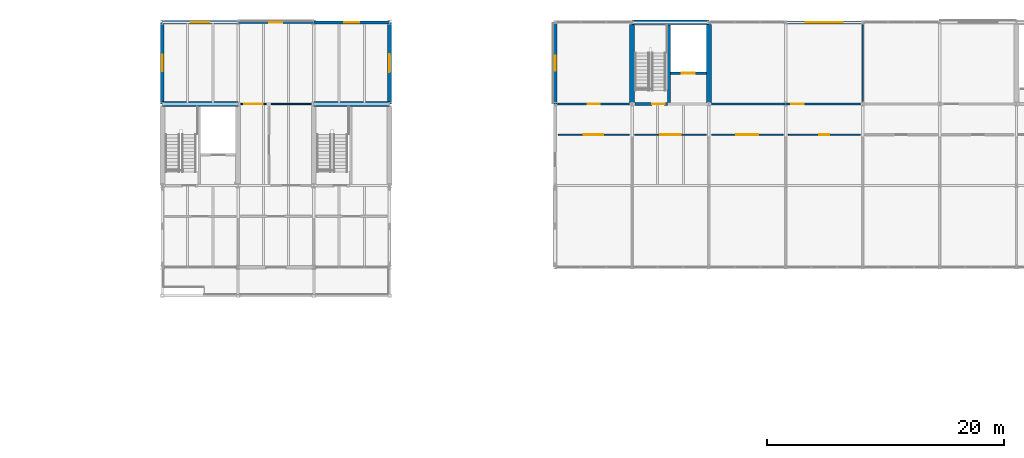
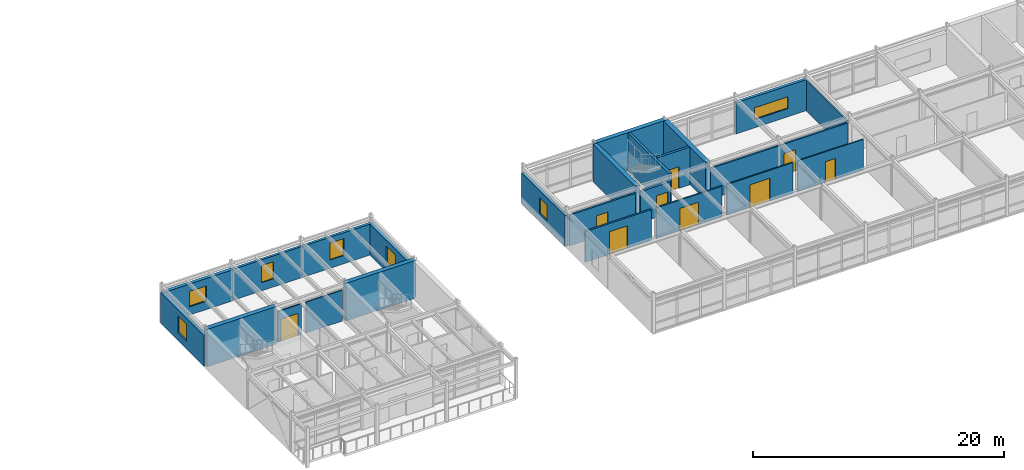
# One storey, part 49 of 57: 24 walls, 9 doors, 7 windows, 16 openings.
"""IFC4 building model written with IfcOpenShell, lengths in metres."""

from ifc_helpers import new_model, si_unit, direction, frame, frame_2d, origin, place, context, subcontext, project, spatial, rectangle, extrude, material, layer, layer_set, type_object, element, fill, save


model = new_model("IFC4")

# Units and contexts
model_context = context("Model", 3, precision=1e-05, world=origin(), true_north=direction((0.0, 1.0)))
body_context = subcontext(model_context, "Body", "Model", "MODEL_VIEW")
ifc_project = project(units=[si_unit("LENGTHUNIT", "METRE"), si_unit("AREAUNIT", "SQUARE_METRE"), si_unit("VOLUMEUNIT", "CUBIC_METRE"), si_unit("PLANEANGLEUNIT", "RADIAN"), si_unit("MASSUNIT", "GRAM", prefix="KILO")], contexts=[model_context])

# Site, building, storey
site_placement = place(None, origin())
site = spatial("IfcSite", under=ifc_project, at=site_placement, CompositionType="ELEMENT")
building_placement = place(site_placement, origin())
building = spatial("IfcBuilding", under=site, at=building_placement, Name="Trelmorton Wharf Fire Station", CompositionType="ELEMENT")
storey_placement = place(building_placement, frame((0.0, 0.0, 13.5)))
storey = spatial("IfcBuildingStorey", under=building, at=storey_placement, Name="L03", CompositionType="ELEMENT", Elevation=13.5)

# Wall, opening, window
ifc_material_1 = material(Name="Precast concrete 45 MPa", Category="concrete")
ifc_layer_1 = layer(ifc_material_1, 0.22998046875)
ifc_layer_set_1 = layer_set([ifc_layer_1], Name="Precast concrete 45 MPa")
wall_type_1 = type_object("IfcWallType", Name="EW_PREC_230", PredefinedType="SOLIDWALL", material=ifc_layer_set_1)
wall_1_placement = place(storey_placement, frame((77.205078125, 81.0, 0.0), z_axis=(0.0, 0.0, 1.0), x_axis=(1.0, 0.0, 0.0)))
wall_1 = element("IfcWall", 1, at=wall_1_placement, inside=storey, type_object=wall_type_1, Name="EW-V2-L03-0180", PredefinedType="SOLIDWALL", context=body_context, shape_type="SweptSolid", body=[
    extrude(rectangle(XDim=6.389892578125, YDim=0.22998046875, at=frame_2d((3.19482421875, 0.0))), origin(), (0.0, 0.0, 1.0), 3.02001953125),
])
opening_1_placement = place(wall_1_placement, frame((2.64501953125, 0.0, 0.800048828125)))
opening_1 = element("IfcOpeningElement", 2, at=opening_1_placement, cuts=wall_1, Name="Opening W37", PredefinedType="OPENING", context=body_context, shape_type="SweptSolid", body=[
    extrude(rectangle(XDim=1.10009765625, YDim=1.64990234375, at=frame_2d((0.550048828125, 0.824951171875))), frame((0.0, 0.125, 0.0), z_axis=(0.0, -1.0, 0.0), x_axis=(1.0, 0.0, 0.0)), (0.0, 0.0, 1.0), 0.25),
])
ifc_material_2 = material(Name="Tempered low-E double glazing", Category="glass")
window_type_1 = type_object("IfcWindowType", Name="WIN_W37", PartitioningType="SINGLE_PANEL", PredefinedType="WINDOW", material=ifc_material_2)
window_1_placement = place(opening_1_placement, origin())
window_1 = element("IfcWindow", 3, at=window_1_placement, inside=storey, type_object=window_type_1, Name="WN-V2-L03-0099", OverallHeight=1.64990234375, OverallWidth=1.10009765625, PartitioningType="SINGLE_PANEL", PredefinedType="WINDOW", context=body_context, shape_type="SweptSolid", body=[
    extrude(rectangle(XDim=1.10009765625, YDim=1.64990234375, at=frame_2d((0.550048828125, 0.824951171875))), frame((0.0, 0.030029296875, 0.0), z_axis=(0.0, -1.0, 0.0), x_axis=(1.0, 0.0, 0.0)), (0.0, 0.0, 1.0), 0.06005859375),
])
fill(opening_1, window_1)

ifc_layer_2 = layer(ifc_material_1, 0.25)
ifc_layer_set_2 = layer_set([ifc_layer_2], Name="Precast concrete 45 MPa")
wall_type_2 = type_object("IfcWallType", Name="EW_PREC_250", PredefinedType="SOLIDWALL", material=ifc_layer_set_2)
wall_2_placement = place(storey_placement, frame((83.60498046875, 81.0, 0.0), z_axis=(0.0, 0.0, 1.0), x_axis=(1.0, 0.0, 0.0)))
wall_2 = element("IfcWall", 4, at=wall_2_placement, inside=storey, type_object=wall_type_2, Name="EW-V2-L03-0181", PredefinedType="SOLIDWALL", context=body_context, shape_type="SweptSolid", body=[
    extrude(rectangle(XDim=6.39013671875, YDim=0.25, at=frame_2d((3.195068359375, 0.0))), origin(), (0.0, 0.0, 1.0), 3.02001953125),
])
opening_2_placement = place(wall_2_placement, frame((2.570068359375, 0.0, 0.800048828125)))
opening_2 = element("IfcOpeningElement", 5, at=opening_2_placement, cuts=wall_2, Name="Opening W38", PredefinedType="OPENING", context=body_context, shape_type="SweptSolid", body=[
    extrude(rectangle(XDim=1.25, YDim=1.64990234375, at=frame_2d((0.625, 0.824951171875))), frame((0.0, 0.135009765625, 0.0), z_axis=(0.0, -1.0, 0.0), x_axis=(1.0, 0.0, 0.0)), (0.0, 0.0, 1.0), 0.27001953125),
])
window_type_2 = type_object("IfcWindowType", Name="WIN_W38", PartitioningType="SINGLE_PANEL", PredefinedType="WINDOW", material=ifc_material_2)
window_2_placement = place(opening_2_placement, origin())
window_2 = element("IfcWindow", 6, at=window_2_placement, inside=storey, type_object=window_type_2, Name="WN-V2-L03-0100", OverallHeight=1.64990234375, OverallWidth=1.25, PartitioningType="SINGLE_PANEL", PredefinedType="WINDOW", context=body_context, shape_type="SweptSolid", body=[
    extrude(rectangle(XDim=1.25, YDim=1.64990234375, at=frame_2d((0.625, 0.824951171875))), frame((0.0, 0.030029296875, 0.0), z_axis=(0.0, -1.0, 0.0), x_axis=(1.0, 0.0, 0.0)), (0.0, 0.0, 1.0), 0.06005859375),
])
fill(opening_2, window_2)

ifc_layer_3 = layer(ifc_material_1, 0.27001953125)
ifc_layer_set_3 = layer_set([ifc_layer_3], Name="Precast concrete 45 MPa")
wall_type_3 = type_object("IfcWallType", Name="EW_PREC_270", PredefinedType="SOLIDWALL", material=ifc_layer_set_3)
wall_3_placement = place(storey_placement, frame((123.5048828125, 81.0, 0.0), z_axis=(0.0, 0.0, 1.0), x_axis=(1.0, 0.0, 0.0)))
wall_3 = element("IfcWall", 7, at=wall_3_placement, inside=storey, type_object=wall_type_3, Name="EW-V4-L03-0236", PredefinedType="SOLIDWALL", context=body_context, shape_type="SweptSolid", body=[
    extrude(rectangle(XDim=6.490234375, YDim=0.27001953125, at=frame_2d((3.2451171875, 0.0))), origin(), (0.0, 0.0, 1.0), 3.02001953125),
])
opening_3_placement = place(wall_3_placement, frame((1.695068359375, 0.0, 0.800048828125)))
opening_3 = element("IfcOpeningElement", 8, at=opening_3_placement, cuts=wall_3, Name="Opening W29", PredefinedType="OPENING", context=body_context, shape_type="SweptSolid", body=[
    extrude(rectangle(XDim=3.10009765625, YDim=1.14990234375, at=frame_2d((1.550048828125, 0.574951171875))), frame((0.0, 0.14501953125, 0.0), z_axis=(0.0, -1.0, 0.0), x_axis=(1.0, 0.0, 0.0)), (0.0, 0.0, 1.0), 0.2900390625),
])
window_type_3 = type_object("IfcWindowType", Name="WIN_W29", PartitioningType="TRIPLE_PANEL_VERTICAL", PredefinedType="WINDOW", material=ifc_material_2)
window_3_placement = place(opening_3_placement, origin())
window_3 = element("IfcWindow", 9, at=window_3_placement, inside=storey, type_object=window_type_3, Name="WN-V4-L03-0136", OverallHeight=1.14990234375, OverallWidth=3.10009765625, PartitioningType="TRIPLE_PANEL_VERTICAL", PredefinedType="WINDOW", context=body_context, shape_type="SweptSolid", body=[
    extrude(rectangle(XDim=3.10009765625, YDim=1.14990234375, at=frame_2d((1.550048828125, 0.574951171875))), frame((0.0, 0.030029296875, 0.0), z_axis=(0.0, -1.0, 0.0), x_axis=(1.0, 0.0, 0.0)), (0.0, 0.0, 1.0), 0.06005859375),
])
fill(opening_3, window_3)

ifc_layer_4 = layer(ifc_material_1, 0.2900390625)
ifc_layer_set_4 = layer_set([ifc_layer_4], Name="Precast concrete 45 MPa")
wall_type_4 = type_object("IfcWallType", Name="EW_TERR_290", PredefinedType="SOLIDWALL", material=ifc_layer_set_4)
wall_4_placement = place(storey_placement, frame((104.0, 74.10498046875, 0.0), z_axis=(0.0, 0.0, 1.0), x_axis=(0.0, 1.0, 0.0)))
wall_4 = element("IfcWall", 10, at=wall_4_placement, inside=storey, type_object=wall_type_4, Name="EW-V4-L03-0243", PredefinedType="SOLIDWALL", context=body_context, shape_type="SweptSolid", body=[
    extrude(rectangle(XDim=6.89013671875, YDim=0.2900390625, at=frame_2d((3.445068359375, 0.0))), origin(), (0.0, 0.0, 1.0), 3.02001953125),
])
opening_4_placement = place(wall_4_placement, frame((2.820068359375, 0.0, 0.800048828125)))
opening_4 = element("IfcOpeningElement", 11, at=opening_4_placement, cuts=wall_4, Name="Opening W34", PredefinedType="OPENING", context=body_context, shape_type="SweptSolid", body=[
    extrude(rectangle(XDim=1.25, YDim=1.5, at=frame_2d((0.625, 0.75))), frame((0.0, 0.155029296875, 0.0), z_axis=(0.0, -1.0, 0.0), x_axis=(1.0, 0.0, 0.0)), (0.0, 0.0, 1.0), 0.31005859375),
])
window_type_4 = type_object("IfcWindowType", Name="WIN_W34", PartitioningType="SINGLE_PANEL", PredefinedType="WINDOW", material=ifc_material_2)
window_4_placement = place(opening_4_placement, origin())
window_4 = element("IfcWindow", 12, at=window_4_placement, inside=storey, type_object=window_type_4, Name="WN-V4-L03-0141", OverallHeight=1.5, OverallWidth=1.25, PartitioningType="SINGLE_PANEL", PredefinedType="WINDOW", context=body_context, shape_type="SweptSolid", body=[
    extrude(rectangle(XDim=1.25, YDim=1.5, at=frame_2d((0.625, 0.75))), frame((0.0, 0.030029296875, 0.0), z_axis=(0.0, -1.0, 0.0), x_axis=(1.0, 0.0, 0.0)), (0.0, 0.0, 1.0), 0.06005859375),
])
fill(opening_4, window_4)

ifc_layer_5 = layer(ifc_material_1, 0.31005859375)
ifc_layer_set_5 = layer_set([ifc_layer_5], Name="Precast concrete 45 MPa")
wall_type_5 = type_object("IfcWallType", Name="EW_TERR_310", PredefinedType="SOLIDWALL", material=ifc_layer_set_5)
wall_5_placement = place(storey_placement, frame((70.804931640625, 81.0, 0.0), z_axis=(0.0, 0.0, 1.0), x_axis=(1.0, 0.0, 0.0)))
wall_5 = element("IfcWall", 13, at=wall_5_placement, inside=storey, type_object=wall_type_5, Name="EW-V2-L03-0178", PredefinedType="SOLIDWALL", context=body_context, shape_type="SweptSolid", body=[
    extrude(rectangle(XDim=6.39013671875, YDim=0.31005859375, at=frame_2d((3.195068359375, 0.0))), origin(), (0.0, 0.0, 1.0), 3.02001953125),
])
opening_5_placement = place(wall_5_placement, frame((2.419921875, 0.0, 0.800048828125)))
opening_5 = element("IfcOpeningElement", 14, at=opening_5_placement, cuts=wall_5, Name="Opening W36", PredefinedType="OPENING", context=body_context, shape_type="SweptSolid", body=[
    extrude(rectangle(XDim=1.550048828125, YDim=1.5, at=frame_2d((0.77490234375, 0.75))), frame((0.0, 0.1650390625, 0.0), z_axis=(0.0, -1.0, 0.0), x_axis=(1.0, 0.0, 0.0)), (0.0, 0.0, 1.0), 0.330078125),
])
window_type_5 = type_object("IfcWindowType", Name="WIN_W36", PartitioningType="SINGLE_PANEL", PredefinedType="WINDOW", material=ifc_material_2)
window_5_placement = place(opening_5_placement, origin())
window_5 = element("IfcWindow", 15, at=window_5_placement, inside=storey, type_object=window_type_5, Name="WN-V2-L03-0098", OverallHeight=1.5, OverallWidth=1.550048828125, PartitioningType="SINGLE_PANEL", PredefinedType="WINDOW", context=body_context, shape_type="SweptSolid", body=[
    extrude(rectangle(XDim=1.550048828125, YDim=1.5, at=frame_2d((0.77490234375, 0.75))), frame((0.0, 0.030029296875, 0.0), z_axis=(0.0, -1.0, 0.0), x_axis=(1.0, 0.0, 0.0)), (0.0, 0.0, 1.0), 0.06005859375),
])
fill(opening_5, window_5)

wall_6_placement = place(storey_placement, frame((70.800048828125, 74.10498046875, 0.0), z_axis=(0.0, 0.0, 1.0), x_axis=(0.0, 1.0, 0.0)))
wall_6 = element("IfcWall", 16, at=wall_6_placement, inside=storey, type_object=wall_type_5, Name="EW-V2-L03-0184", PredefinedType="SOLIDWALL", context=body_context, shape_type="SweptSolid", body=[
    extrude(rectangle(XDim=6.89013671875, YDim=0.31005859375, at=frame_2d((3.445068359375, 0.0))), origin(), (0.0, 0.0, 1.0), 3.02001953125),
])
opening_6_placement = place(wall_6_placement, frame((2.7451171875, 0.0, 0.800048828125)))
opening_6 = element("IfcOpeningElement", 17, at=opening_6_placement, cuts=wall_6, Name="Opening W39", PredefinedType="OPENING", context=body_context, shape_type="SweptSolid", body=[
    extrude(rectangle(XDim=1.39990234375, YDim=1.64990234375, at=frame_2d((0.699951171875, 0.824951171875))), frame((0.0, 0.1650390625, 0.0), z_axis=(0.0, -1.0, 0.0), x_axis=(1.0, 0.0, 0.0)), (0.0, 0.0, 1.0), 0.330078125),
])
window_type_6 = type_object("IfcWindowType", Name="WIN_W39", PartitioningType="SINGLE_PANEL", PredefinedType="WINDOW", material=ifc_material_2)
window_6_placement = place(opening_6_placement, origin())
window_6 = element("IfcWindow", 18, at=window_6_placement, inside=storey, type_object=window_type_6, Name="WN-V2-L03-0101", OverallHeight=1.64990234375, OverallWidth=1.39990234375, PartitioningType="SINGLE_PANEL", PredefinedType="WINDOW", context=body_context, shape_type="SweptSolid", body=[
    extrude(rectangle(XDim=1.39990234375, YDim=1.64990234375, at=frame_2d((0.699951171875, 0.824951171875))), frame((0.0, 0.030029296875, 0.0), z_axis=(0.0, -1.0, 0.0), x_axis=(1.0, 0.0, 0.0)), (0.0, 0.0, 1.0), 0.06005859375),
])
fill(opening_6, window_6)

ifc_layer_6 = layer(ifc_material_1, 0.330078125)
ifc_layer_set_6 = layer_set([ifc_layer_6], Name="Precast concrete 45 MPa")
wall_type_6 = type_object("IfcWallType", Name="EW_TERR_330", PredefinedType="SOLIDWALL", material=ifc_layer_set_6)
wall_7_placement = place(storey_placement, frame((90.0, 80.9951171875, 0.0), z_axis=(0.0, 0.0, 1.0), x_axis=(0.0, -1.0, 0.0)))
wall_7 = element("IfcWall", 19, at=wall_7_placement, inside=storey, type_object=wall_type_6, Name="EW-V2-L03-0185", PredefinedType="SOLIDWALL", context=body_context, shape_type="SweptSolid", body=[
    extrude(rectangle(XDim=6.89013671875, YDim=0.330078125, at=frame_2d((3.445068359375, 0.0))), origin(), (0.0, 0.0, 1.0), 3.02001953125),
])
opening_7_placement = place(wall_7_placement, frame((2.669921875, 0.0, 0.800048828125)))
opening_7 = element("IfcOpeningElement", 20, at=opening_7_placement, cuts=wall_7, Name="Opening W40", PredefinedType="OPENING", context=body_context, shape_type="SweptSolid", body=[
    extrude(rectangle(XDim=1.550048828125, YDim=1.64990234375, at=frame_2d((0.77490234375, 0.824951171875))), frame((0.0, 0.175048828125, 0.0), z_axis=(0.0, -1.0, 0.0), x_axis=(1.0, 0.0, 0.0)), (0.0, 0.0, 1.0), 0.35009765625),
])
window_type_7 = type_object("IfcWindowType", Name="WIN_W40", PartitioningType="SINGLE_PANEL", PredefinedType="WINDOW", material=ifc_material_2)
window_7_placement = place(opening_7_placement, origin())
window_7 = element("IfcWindow", 21, at=window_7_placement, inside=storey, type_object=window_type_7, Name="WN-V2-L03-0102", OverallHeight=1.64990234375, OverallWidth=1.550048828125, PartitioningType="SINGLE_PANEL", PredefinedType="WINDOW", context=body_context, shape_type="SweptSolid", body=[
    extrude(rectangle(XDim=1.550048828125, YDim=1.64990234375, at=frame_2d((0.77490234375, 0.824951171875))), frame((0.0, 0.030029296875, 0.0), z_axis=(0.0, -1.0, 0.0), x_axis=(1.0, 0.0, 0.0)), (0.0, 0.0, 1.0), 0.06005859375),
])
fill(opening_7, window_7)

# Wall, opening, door
ifc_material_3 = material(Name="Gypsum plasterboard partition")
ifc_layer_7 = layer(ifc_material_3, 0.14990234375)
ifc_layer_set_7 = layer_set([ifc_layer_7], Name="Gypsum plasterboard partition")
wall_type_7 = type_object("IfcWallType", Name="IW_ACOU_150", PredefinedType="PARTITIONING", material=ifc_layer_set_7)
wall_8_placement = place(storey_placement, frame((117.219970703125, 74.10009765625, 0.0), z_axis=(0.0, 0.0, 1.0), x_axis=(1.0, 0.0, 0.0)))
wall_8 = element("IfcWall", 22, at=wall_8_placement, inside=storey, type_object=wall_type_7, Name="IW-L03-0219", PredefinedType="PARTITIONING", context=body_context, shape_type="SweptSolid", body=[
    extrude(rectangle(XDim=12.56005859375, YDim=0.14990234375, at=frame_2d((6.280029296875, 0.0))), origin(), (0.0, 0.0, 1.0), 3.0),
])
opening_8_placement = place(wall_8_placement, frame((6.7451171875, 0.0, 0.0)))
opening_8 = element("IfcOpeningElement", 23, at=opening_8_placement, cuts=wall_8, Name="Opening D-147", PredefinedType="OPENING", context=body_context, shape_type="SweptSolid", body=[
    extrude(rectangle(XDim=1.070068359375, YDim=2.080078125, at=frame_2d((0.53515625, 1.0400390625))), frame((0.0, 0.0849609375, 0.0), z_axis=(0.0, -1.0, 0.0), x_axis=(1.0, 0.0, 0.0)), (0.0, 0.0, 1.0), 0.169921875),
])
ifc_material_4 = material(Name="Acoustic timber panelling", Category="wood")
door_type_1 = type_object("IfcDoorType", Name="DR_INT_107", OperationType="NOTDEFINED", PredefinedType="DOOR", material=ifc_material_4)
door_1_placement = place(opening_8_placement, origin())
door_1 = element("IfcDoor", 24, at=door_1_placement, inside=storey, type_object=door_type_1, Name="Interior Door D-147", OperationType="SINGLE_SWING_RIGHT", OverallHeight=2.080078125, OverallWidth=1.070068359375, PredefinedType="DOOR", context=body_context, shape_type="SweptSolid", body=[
    extrude(rectangle(XDim=1.070068359375, YDim=2.080078125, at=frame_2d((0.53515625, 1.0400390625))), frame((0.0, 0.02490234375, 0.0), z_axis=(0.0, -1.0, 0.0), x_axis=(1.0, 0.0, 0.0)), (0.0, 0.0, 1.0), 0.050048828125),
])
fill(opening_8, door_1)

ifc_layer_8 = layer(ifc_material_3, 0.159912109375)
ifc_layer_set_8 = layer_set([ifc_layer_8], Name="Gypsum plasterboard partition")
wall_type_8 = type_object("IfcWallType", Name="IW_ACOU_160", PredefinedType="PARTITIONING", material=ifc_layer_set_8)
wall_9_placement = place(storey_placement, frame((104.219970703125, 71.5, 0.0), z_axis=(0.0, 0.0, 1.0), x_axis=(1.0, 0.0, 0.0)))
wall_9 = element("IfcWall", 25, at=wall_9_placement, inside=storey, type_object=wall_type_8, Name="IW-L03-0204", PredefinedType="PARTITIONING", context=body_context, shape_type="SweptSolid", body=[
    extrude(rectangle(XDim=6.06005859375, YDim=0.159912109375, at=frame_2d((3.030029296875, 0.0))), origin(), (0.0, 0.0, 1.0), 3.0),
])
opening_9_placement = place(wall_9_placement, frame((2.2099609375, 0.0, 0.0)))
opening_9 = element("IfcOpeningElement", 26, at=opening_9_placement, cuts=wall_9, Name="Opening D-138", PredefinedType="OPENING", context=body_context, shape_type="SweptSolid", body=[
    extrude(rectangle(XDim=1.639892578125, YDim=2.199951171875, at=frame_2d((0.81982421875, 1.10009765625))), frame((0.0, 0.08984375, 0.0), z_axis=(0.0, -1.0, 0.0), x_axis=(1.0, 0.0, 0.0)), (0.0, 0.0, 1.0), 0.179931640625),
])
door_type_2 = type_object("IfcDoorType", Name="DR_INT_164", OperationType="DOUBLE_DOOR_SINGLE_SWING", PredefinedType="DOOR", material=ifc_material_4)
door_2_placement = place(opening_9_placement, origin())
door_2 = element("IfcDoor", 27, at=door_2_placement, inside=storey, type_object=door_type_2, Name="Interior Door D-138", OperationType="DOUBLE_DOOR_SINGLE_SWING", OverallHeight=2.199951171875, OverallWidth=1.639892578125, PredefinedType="DOOR", context=body_context, shape_type="SweptSolid", body=[
    extrude(rectangle(XDim=1.639892578125, YDim=2.199951171875, at=frame_2d((0.81982421875, 1.10009765625))), frame((0.0, 0.02490234375, 0.0), z_axis=(0.0, -1.0, 0.0), x_axis=(1.0, 0.0, 0.0)), (0.0, 0.0, 1.0), 0.050048828125),
])
fill(opening_9, door_2)

wall_10_placement = place(storey_placement, frame((104.219970703125, 74.10009765625, 0.0), z_axis=(0.0, 0.0, 1.0), x_axis=(1.0, 0.0, 0.0)))
wall_10 = element("IfcWall", 28, at=wall_10_placement, inside=storey, type_object=wall_type_8, Name="IW-L03-0218", PredefinedType="PARTITIONING", context=body_context, shape_type="SweptSolid", body=[
    extrude(rectangle(XDim=6.06005859375, YDim=0.159912109375, at=frame_2d((3.030029296875, 0.0))), origin(), (0.0, 0.0, 1.0), 3.0),
])
opening_10_placement = place(wall_10_placement, frame((2.514892578125, 0.0, 0.0)))
opening_10 = element("IfcOpeningElement", 29, at=opening_10_placement, cuts=wall_10, Name="Opening D-146", PredefinedType="OPENING", context=body_context, shape_type="SweptSolid", body=[
    extrude(rectangle(XDim=1.030029296875, YDim=2.06005859375, at=frame_2d((0.51513671875, 1.030029296875))), frame((0.0, 0.08984375, 0.0), z_axis=(0.0, -1.0, 0.0), x_axis=(1.0, 0.0, 0.0)), (0.0, 0.0, 1.0), 0.179931640625),
])
door_type_3 = type_object("IfcDoorType", Name="DR_INT_103", OperationType="NOTDEFINED", PredefinedType="DOOR", material=ifc_material_4)
door_3_placement = place(opening_10_placement, origin())
door_3 = element("IfcDoor", 30, at=door_3_placement, inside=storey, type_object=door_type_3, Name="Interior Door D-146", OperationType="SINGLE_SWING_LEFT", OverallHeight=2.06005859375, OverallWidth=1.030029296875, PredefinedType="DOOR", context=body_context, shape_type="SweptSolid", body=[
    extrude(rectangle(XDim=1.030029296875, YDim=2.06005859375, at=frame_2d((0.51513671875, 1.030029296875))), frame((0.0, 0.02490234375, 0.0), z_axis=(0.0, -1.0, 0.0), x_axis=(1.0, 0.0, 0.0)), (0.0, 0.0, 1.0), 0.050048828125),
])
fill(opening_10, door_3)

# Wall
ifc_material_5 = material(Name="Concrete 40 MPa", Category="concrete")
ifc_layer_9 = layer(ifc_material_5, 0.219970703125)
ifc_layer_set_9 = layer_set([ifc_layer_9], Name="Concrete 40 MPa")
wall_type_9 = type_object("IfcWallType", Name="IW_CORE_220", PredefinedType="SOLIDWALL", material=ifc_layer_set_9)
wall_11_placement = place(storey_placement, frame((113.6201171875, 74.219970703125, 0.0), z_axis=(0.0, 0.0, 1.0), x_axis=(0.0, 1.0, 0.0)))
element("IfcWall", 31, at=wall_11_placement, inside=storey, type_object=wall_type_9, Name="IW-C7-DIV-L03", PredefinedType="SOLIDWALL", context=body_context, shape_type="SweptSolid", body=[
    extrude(rectangle(XDim=6.554931640625, YDim=0.219970703125, at=frame_2d((3.27734375, 0.0))), origin(), (0.0, 0.0, 1.0), 3.659912109375),
])

# Wall, opening, door
wall_12_placement = place(storey_placement, frame((110.760009765625, 74.10009765625, 0.0), z_axis=(0.0, 0.0, 1.0), x_axis=(1.0, 0.0, 0.0)))
wall_12 = element("IfcWall", 32, at=wall_12_placement, inside=storey, type_object=wall_type_9, Name="IW-C7-SF-L03", PredefinedType="SOLIDWALL", context=body_context, shape_type="SweptSolid", body=[
    extrude(rectangle(XDim=2.739990234375, YDim=0.219970703125, at=frame_2d((1.3701171875, 0.0))), origin(), (0.0, 0.0, 1.0), 3.02001953125),
])
opening_11_placement = place(wall_12_placement, frame((1.43994140625, 0.0, 0.0)))
opening_11 = element("IfcOpeningElement", 33, at=opening_11_placement, cuts=wall_12, Name="Opening FD-045", PredefinedType="OPENING", context=body_context, shape_type="SweptSolid", body=[
    extrude(rectangle(XDim=1.06005859375, YDim=2.10009765625, at=frame_2d((0.530029296875, 1.050048828125))), frame((0.0, 0.1201171875, 0.0), z_axis=(0.0, -1.0, 0.0), x_axis=(1.0, 0.0, 0.0)), (0.0, 0.0, 1.0), 0.239990234375),
])
ifc_material_6 = material(Name="Stainless steel 316 marine grade", Category="steel")
door_type_4 = type_object("IfcDoorType", Name="DR_FIRE_106", OperationType="NOTDEFINED", PredefinedType="DOOR", material=ifc_material_6)
door_4_placement = place(opening_11_placement, origin())
door_4 = element("IfcDoor", 34, at=door_4_placement, inside=storey, type_object=door_type_4, Name="Stair Fire Door FD-045", OperationType="SINGLE_SWING_LEFT", OverallHeight=2.10009765625, OverallWidth=1.06005859375, PredefinedType="DOOR", context=body_context, shape_type="SweptSolid", body=[
    extrude(rectangle(XDim=1.06005859375, YDim=2.10009765625, at=frame_2d((0.530029296875, 1.050048828125))), frame((0.0, 0.02490234375, 0.0), z_axis=(0.0, -1.0, 0.0), x_axis=(1.0, 0.0, 0.0)), (0.0, 0.0, 1.0), 0.050048828125),
])
fill(opening_11, door_4)

wall_13_placement = place(storey_placement, frame((113.739990234375, 76.699951171875, 0.0), z_axis=(0.0, 0.0, 1.0), x_axis=(1.0, 0.0, 0.0)))
wall_13 = element("IfcWall", 35, at=wall_13_placement, inside=storey, type_object=wall_type_9, Name="IW-C7-LSH-L03", PredefinedType="SOLIDWALL", context=body_context, shape_type="SweptSolid", body=[
    extrude(rectangle(XDim=3.034912109375, YDim=0.219970703125, at=frame_2d((1.517578125, 0.0))), origin(), (0.0, 0.0, 1.0), 3.659912109375),
])
opening_12_placement = place(wall_13_placement, frame((0.967529296875, 0.0, 0.0)))
opening_12 = element("IfcOpeningElement", 36, at=opening_12_placement, cuts=wall_13, Name="Opening LD-036", PredefinedType="OPENING", context=body_context, shape_type="SweptSolid", body=[
    extrude(rectangle(XDim=1.10009765625, YDim=2.10009765625, at=frame_2d((0.550048828125, 1.050048828125))), frame((0.0, 0.1201171875, 0.0), z_axis=(0.0, -1.0, 0.0), x_axis=(1.0, 0.0, 0.0)), (0.0, 0.0, 1.0), 0.239990234375),
])
door_type_5 = type_object("IfcDoorType", Name="DR_LIFT_110", OperationType="DOUBLE_DOOR_SLIDING", PredefinedType="DOOR", material=ifc_material_6)
door_5_placement = place(opening_12_placement, origin())
door_5 = element("IfcDoor", 37, at=door_5_placement, inside=storey, type_object=door_type_5, Name="Lift Landing Door LD-036", OperationType="DOUBLE_DOOR_SLIDING", OverallHeight=2.10009765625, OverallWidth=1.10009765625, PredefinedType="DOOR", context=body_context, shape_type="SweptSolid", body=[
    extrude(rectangle(XDim=1.10009765625, YDim=2.10009765625, at=frame_2d((0.550048828125, 1.050048828125))), frame((0.0, 0.02490234375, 0.0), z_axis=(0.0, -1.0, 0.0), x_axis=(1.0, 0.0, 0.0)), (0.0, 0.0, 1.0), 0.050048828125),
])
fill(opening_12, door_5)

ifc_layer_10 = layer(ifc_material_3, 0.10009765625)
ifc_layer_set_10 = layer_set([ifc_layer_10], Name="Gypsum plasterboard partition")
wall_type_10 = type_object("IfcWallType", Name="IW_PART_100", PredefinedType="PARTITIONING", material=ifc_layer_set_10)
wall_14_placement = place(storey_placement, frame((123.719970703125, 71.5, 0.0), z_axis=(0.0, 0.0, 1.0), x_axis=(1.0, 0.0, 0.0)))
wall_14 = element("IfcWall", 38, at=wall_14_placement, inside=storey, type_object=wall_type_10, Name="IW-L03-0210", PredefinedType="PARTITIONING", context=body_context, shape_type="SweptSolid", body=[
    extrude(rectangle(XDim=6.06005859375, YDim=0.10009765625, at=frame_2d((3.030029296875, 0.0))), origin(), (0.0, 0.0, 1.0), 3.0),
])
opening_13_placement = place(wall_14_placement, frame((2.590087890625, 0.0, 0.0)))
opening_13 = element("IfcOpeningElement", 39, at=opening_13_placement, cuts=wall_14, Name="Opening D-141", PredefinedType="OPENING", context=body_context, shape_type="SweptSolid", body=[
    extrude(rectangle(XDim=0.8798828125, YDim=2.0400390625, at=frame_2d((0.43994140625, 1.02001953125))), frame((0.0, 0.06005859375, 0.0), z_axis=(0.0, -1.0, 0.0), x_axis=(1.0, 0.0, 0.0)), (0.0, 0.0, 1.0), 0.1201171875),
])
door_type_6 = type_object("IfcDoorType", Name="DR_INT_088", OperationType="NOTDEFINED", PredefinedType="DOOR", material=ifc_material_4)
door_6_placement = place(opening_13_placement, origin())
door_6 = element("IfcDoor", 40, at=door_6_placement, inside=storey, type_object=door_type_6, Name="Interior Door D-141", OperationType="SINGLE_SWING_RIGHT", OverallHeight=2.0400390625, OverallWidth=0.8798828125, PredefinedType="DOOR", context=body_context, shape_type="SweptSolid", body=[
    extrude(rectangle(XDim=0.8798828125, YDim=2.0400390625, at=frame_2d((0.43994140625, 1.02001953125))), frame((0.0, 0.02490234375, 0.0), z_axis=(0.0, -1.0, 0.0), x_axis=(1.0, 0.0, 0.0)), (0.0, 0.0, 1.0), 0.050048828125),
])
fill(opening_13, door_6)

# Wall
ifc_layer_11 = layer(ifc_material_3, 0.110107421875)
ifc_layer_set_11 = layer_set([ifc_layer_11], Name="Gypsum plasterboard partition")
wall_type_11 = type_object("IfcWallType", Name="IW_PART_110", PredefinedType="PARTITIONING", material=ifc_layer_set_11)
wall_15_placement = place(storey_placement, frame((80.02001953125, 74.10009765625, 0.0), z_axis=(0.0, 0.0, 1.0), x_axis=(1.0, 0.0, 0.0)))
element("IfcWall", 41, at=wall_15_placement, inside=storey, type_object=wall_type_11, Name="IW-L03-0202", PredefinedType="PARTITIONING", context=body_context, shape_type="SweptSolid", body=[
    extrude(rectangle(XDim=3.35986328125, YDim=0.110107421875, at=frame_2d((1.679931640625, 0.0))), origin(), (0.0, 0.0, 1.0), 3.0),
])

# Wall, opening, door
ifc_layer_12 = layer(ifc_material_3, 0.139892578125)
ifc_layer_set_12 = layer_set([ifc_layer_12], Name="Gypsum plasterboard partition")
wall_type_12 = type_object("IfcWallType", Name="IW_PART_140", PredefinedType="PARTITIONING", material=ifc_layer_set_12)
wall_16_placement = place(storey_placement, frame((110.719970703125, 71.5, 0.0), z_axis=(0.0, 0.0, 1.0), x_axis=(1.0, 0.0, 0.0)))
wall_16 = element("IfcWall", 42, at=wall_16_placement, inside=storey, type_object=wall_type_12, Name="IW-L03-0206", PredefinedType="PARTITIONING", context=body_context, shape_type="SweptSolid", body=[
    extrude(rectangle(XDim=6.06005859375, YDim=0.139892578125, at=frame_2d((3.030029296875, 0.0))), origin(), (0.0, 0.0, 1.0), 3.0),
])
opening_14_placement = place(wall_16_placement, frame((2.159912109375, 0.0, 0.0)))
opening_14 = element("IfcOpeningElement", 43, at=opening_14_placement, cuts=wall_16, Name="Opening D-139", PredefinedType="OPENING", context=body_context, shape_type="SweptSolid", body=[
    extrude(rectangle(XDim=1.739990234375, YDim=2.199951171875, at=frame_2d((0.8701171875, 1.10009765625))), frame((0.0, 0.080078125, 0.0), z_axis=(0.0, -1.0, 0.0), x_axis=(1.0, 0.0, 0.0)), (0.0, 0.0, 1.0), 0.159912109375),
])
door_type_7 = type_object("IfcDoorType", Name="DR_INT_174", OperationType="DOUBLE_DOOR_SINGLE_SWING", PredefinedType="DOOR", material=ifc_material_4)
door_7_placement = place(opening_14_placement, origin())
door_7 = element("IfcDoor", 44, at=door_7_placement, inside=storey, type_object=door_type_7, Name="Interior Door D-139", OperationType="DOUBLE_DOOR_SINGLE_SWING", OverallHeight=2.199951171875, OverallWidth=1.739990234375, PredefinedType="DOOR", context=body_context, shape_type="SweptSolid", body=[
    extrude(rectangle(XDim=1.739990234375, YDim=2.199951171875, at=frame_2d((0.8701171875, 1.10009765625))), frame((0.0, 0.02490234375, 0.0), z_axis=(0.0, -1.0, 0.0), x_axis=(1.0, 0.0, 0.0)), (0.0, 0.0, 1.0), 0.050048828125),
])
fill(opening_14, door_7)

ifc_layer_13 = layer(ifc_material_3, 0.1201171875)
ifc_layer_set_13 = layer_set([ifc_layer_13], Name="Gypsum plasterboard partition")
wall_type_13 = type_object("IfcWallType", Name="IW_WET_120", PredefinedType="PARTITIONING", material=ifc_layer_set_13)
wall_17_placement = place(storey_placement, frame((77.419921875, 74.10009765625, 0.0), z_axis=(0.0, 0.0, 1.0), x_axis=(1.0, 0.0, 0.0)))
wall_17 = element("IfcWall", 45, at=wall_17_placement, inside=storey, type_object=wall_type_13, Name="IW-L03-0201", PredefinedType="PARTITIONING", context=body_context, shape_type="SweptSolid", body=[
    extrude(rectangle(XDim=2.16015625, YDim=0.1201171875, at=frame_2d((1.080078125, 0.0))), origin(), (0.0, 0.0, 1.0), 3.0),
])
opening_15_placement = place(wall_17_placement, frame((0.300048828125, 0.0, 0.0)))
opening_15 = element("IfcOpeningElement", 46, at=opening_15_placement, cuts=wall_17, Name="Opening D-137", PredefinedType="OPENING", context=body_context, shape_type="SweptSolid", body=[
    extrude(rectangle(XDim=1.56005859375, YDim=2.179931640625, at=frame_2d((0.780029296875, 1.08984375))), frame((0.0, 0.070068359375, 0.0), z_axis=(0.0, -1.0, 0.0), x_axis=(1.0, 0.0, 0.0)), (0.0, 0.0, 1.0), 0.14013671875),
])
door_type_8 = type_object("IfcDoorType", Name="DR_INT_156", OperationType="DOUBLE_DOOR_SINGLE_SWING", PredefinedType="DOOR", material=ifc_material_4)
door_8_placement = place(opening_15_placement, origin())
door_8 = element("IfcDoor", 47, at=door_8_placement, inside=storey, type_object=door_type_8, Name="Interior Door D-137", OperationType="DOUBLE_DOOR_SINGLE_SWING", OverallHeight=2.179931640625, OverallWidth=1.56005859375, PredefinedType="DOOR", context=body_context, shape_type="SweptSolid", body=[
    extrude(rectangle(XDim=1.56005859375, YDim=2.179931640625, at=frame_2d((0.780029296875, 1.08984375))), frame((0.0, 0.02490234375, 0.0), z_axis=(0.0, -1.0, 0.0), x_axis=(1.0, 0.0, 0.0)), (0.0, 0.0, 1.0), 0.050048828125),
])
fill(opening_15, door_8)

wall_18_placement = place(storey_placement, frame((117.219970703125, 71.5, 0.0), z_axis=(0.0, 0.0, 1.0), x_axis=(1.0, 0.0, 0.0)))
wall_18 = element("IfcWall", 48, at=wall_18_placement, inside=storey, type_object=wall_type_13, Name="IW-L03-0208", PredefinedType="PARTITIONING", context=body_context, shape_type="SweptSolid", body=[
    extrude(rectangle(XDim=6.06005859375, YDim=0.1201171875, at=frame_2d((3.030029296875, 0.0))), origin(), (0.0, 0.0, 1.0), 3.0),
])
opening_16_placement = place(wall_18_placement, frame((2.110107421875, 0.0, 0.0)))
opening_16 = element("IfcOpeningElement", 49, at=opening_16_placement, cuts=wall_18, Name="Opening D-140", PredefinedType="OPENING", context=body_context, shape_type="SweptSolid", body=[
    extrude(rectangle(XDim=1.840087890625, YDim=2.219970703125, at=frame_2d((0.919921875, 1.10986328125))), frame((0.0, 0.070068359375, 0.0), z_axis=(0.0, -1.0, 0.0), x_axis=(1.0, 0.0, 0.0)), (0.0, 0.0, 1.0), 0.14013671875),
])
door_type_9 = type_object("IfcDoorType", Name="DR_INT_184", OperationType="DOUBLE_DOOR_SINGLE_SWING", PredefinedType="DOOR", material=ifc_material_4)
door_9_placement = place(opening_16_placement, origin())
door_9 = element("IfcDoor", 50, at=door_9_placement, inside=storey, type_object=door_type_9, Name="Interior Door D-140", OperationType="DOUBLE_DOOR_SINGLE_SWING", OverallHeight=2.219970703125, OverallWidth=1.840087890625, PredefinedType="DOOR", context=body_context, shape_type="SweptSolid", body=[
    extrude(rectangle(XDim=1.840087890625, YDim=2.219970703125, at=frame_2d((0.919921875, 1.10986328125))), frame((0.0, 0.02490234375, 0.0), z_axis=(0.0, -1.0, 0.0), x_axis=(1.0, 0.0, 0.0)), (0.0, 0.0, 1.0), 0.050048828125),
])
fill(opening_16, door_9)

# Walls
wall_19_placement = place(storey_placement, frame((130.0, 74.320068359375, 0.0), z_axis=(0.0, 0.0, 1.0), x_axis=(0.0, 1.0, 0.0)))
element("IfcWall", 51, at=wall_19_placement, inside=storey, type_object=wall_type_13, Name="IW-L03-0222", PredefinedType="PARTITIONING", context=body_context, shape_type="SweptSolid", body=[
    extrude(rectangle(XDim=6.4599609375, YDim=0.1201171875, at=frame_2d((3.22998046875, 0.0))), origin(), (0.0, 0.0, 1.0), 3.0),
])
ifc_material_7 = material(Name="Concrete 50 MPa", Category="concrete")
ifc_layer_14 = layer(ifc_material_7, 0.39990234375)
ifc_layer_set_14 = layer_set([ifc_layer_14], Name="Concrete 50 MPa")
wall_type_14 = type_object("IfcWallType", Name="WL_CORE_400", PredefinedType="SHEAR", material=ifc_layer_set_14)
for number, where, z_axis, x_axis, name in (
    (52, (70.800048828125, 74.10009765625, 0.0), (0.0, 0.0, 1.0), (1.0, 0.0, 0.0), "WL-SW-C6-L03-091"),
    (53, (83.60009765625, 74.10009765625, 0.0), (0.0, 0.0, 1.0), (1.0, 0.0, 0.0), "WL-SW-C6B-L03-112"),
):
    element("IfcWall", number, at=place(storey_placement, frame(where, z_axis=z_axis, x_axis=x_axis)), inside=storey, type_object=wall_type_14, Name=name, PredefinedType="SHEAR", context=body_context, shape_type="SweptSolid", body=[
        extrude(rectangle(XDim=6.39990234375, YDim=0.39990234375, at=frame_2d((3.199951171875, 0.0))), origin(), (0.0, 0.0, 1.0), 3.659912109375),
    ])
wall_20_placement = place(storey_placement, frame((110.5, 81.0, 0.0), z_axis=(0.0, 0.0, 1.0), x_axis=(1.0, 0.0, 0.0)))
element("IfcWall", 54, at=wall_20_placement, inside=storey, type_object=wall_type_14, Name="WL-SW-C7-L03-133", PredefinedType="SHEAR", context=body_context, shape_type="SweptSolid", body=[
    extrude(rectangle(XDim=6.5, YDim=0.39990234375, at=frame_2d((3.25, 0.0))), origin(), (0.0, 0.0, 1.0), 3.659912109375),
])
for number, where, z_axis, x_axis, name in (
    (55, (110.5, 74.10009765625, 0.0), (0.0, 0.0, 1.0), (0.0, 1.0, 0.0), "WL-SW-C7-L03-134"),
    (56, (117.0, 74.10009765625, 0.0), (0.0, 0.0, 1.0), (0.0, 1.0, 0.0), "WL-SW-C7-L03-135"),
):
    element("IfcWall", number, at=place(storey_placement, frame(where, z_axis=z_axis, x_axis=x_axis)), inside=storey, type_object=wall_type_14, Name=name, PredefinedType="SHEAR", context=body_context, shape_type="SweptSolid", body=[
        extrude(rectangle(XDim=6.699951171875, YDim=0.39990234375, at=frame_2d((3.35009765625, 0.0))), origin(), (0.0, 0.0, 1.0), 3.659912109375),
    ])

save(model, "model.ifc")
